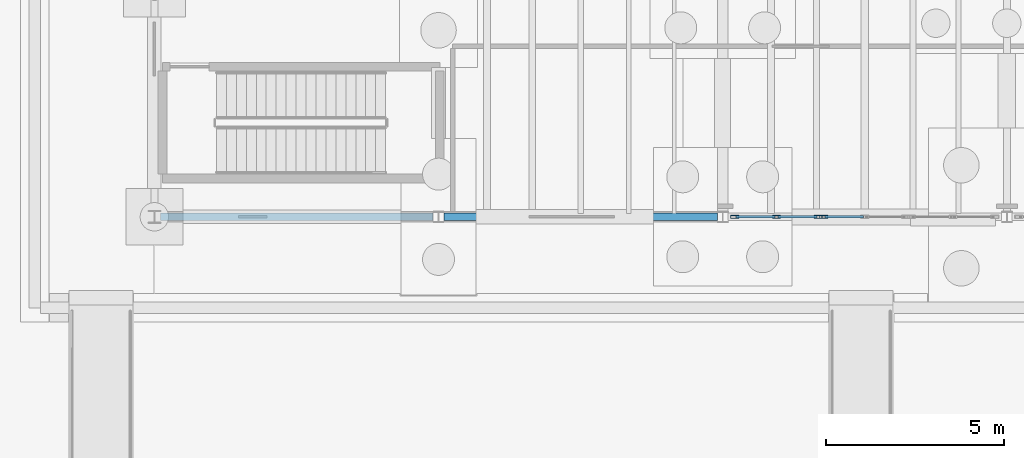
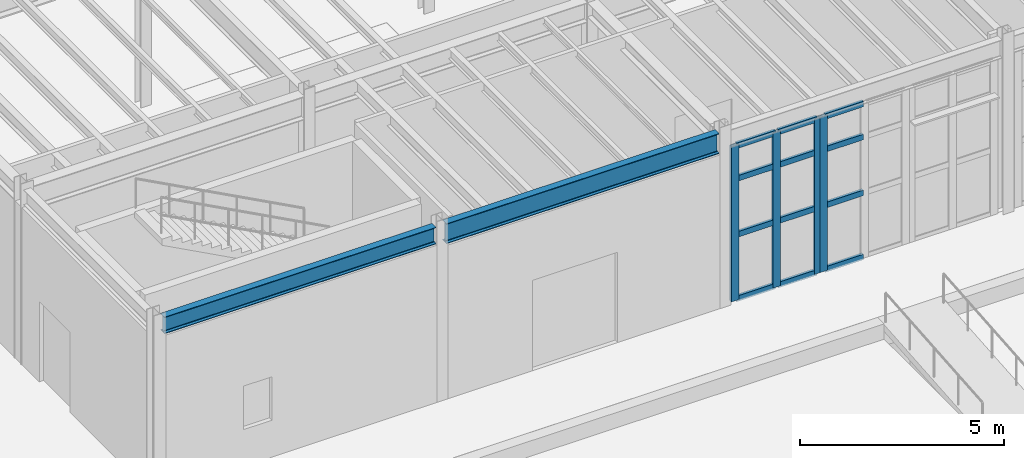
# One storey, part 21 of 86: 16 members, 2 beams, 2 elements without a shape of their own.
"""IFC4 building model written with IfcOpenShell, lengths in metres."""

from ifc_helpers import new_model, si_unit, direction, frame, origin, origin_2d, place, context, subcontext, project, spatial, hollow_rectangle, i_section, extrude, material, material_profile, profile_set, type_object, element, aggregate, save


model = new_model("IFC4")

# Units and contexts
model_context = context("Model", 3, precision=1e-05, world=origin(), true_north=direction((0.0, 1.0)))
body_context = subcontext(model_context, "Body", "Model", "MODEL_VIEW")
ifc_project = project(units=[si_unit("LENGTHUNIT", "METRE"), si_unit("AREAUNIT", "SQUARE_METRE"), si_unit("VOLUMEUNIT", "CUBIC_METRE"), si_unit("PLANEANGLEUNIT", "RADIAN"), si_unit("MASSUNIT", "GRAM", prefix="KILO"), si_unit("THERMODYNAMICTEMPERATUREUNIT", "KELVIN"), si_unit("POWERUNIT", "WATT")], contexts=[model_context])

# Site, building, storey
site_placement = place(None, origin())
site = spatial("IfcSite", under=ifc_project, at=site_placement, CompositionType="ELEMENT")
building_placement = place(site_placement, origin())
building = spatial("IfcBuilding", under=site, at=building_placement, Name="Zhenchuan Central Fire Station", CompositionType="ELEMENT")
storey_placement = place(building_placement, frame((0.0, 0.0, 0.449951171875)))
storey = spatial("IfcBuildingStorey", under=building, at=storey_placement, Name="L01", CompositionType="ELEMENT", Elevation=0.449951171875)

# Beam
ifc_material_1 = material(Name="Steel Q355B", Category="steel")
ifc_material_profile_1 = material_profile(ifc_material_1, i_section(OverallWidth=0.199951171875, OverallDepth=0.60009765625, WebThickness=0.010986328125, FlangeThickness=0.01708984375, FilletRadius=0.02197265625, at=origin_2d()), Name="HN 600x200")
ifc_profile_set_1 = profile_set([ifc_material_profile_1], Name="Steel Q355B")
beam_type_1 = type_object("IfcBeamType", Name="BM-HN600", PredefinedType="BEAM", material=ifc_profile_set_1)
beam_1_placement = place(storey_placement, frame((8.14990234375, 0.0, 4.900146484375), z_axis=(1.0, 0.0, 0.0), x_axis=(0.0, 1.0, 0.0)))
element("IfcBeam", 1, at=beam_1_placement, inside=storey, type_object=beam_type_1, Name="L02 Girder EW 0002", PredefinedType="BEAM", context=body_context, shape_type="SweptSolid", body=[
    extrude(i_section(OverallWidth=0.199951171875, OverallDepth=0.60009765625, WebThickness=0.010986328125, FlangeThickness=0.01708984375, FilletRadius=0.02197265625, at=origin_2d()), origin(), (0.0, 0.0, 1.0), 7.7001953125),
])

# Curtain wall, members
ifc_material_2 = material(Name="Anodised aluminium and low-E glazing", Category="aluminium")
curtain_wall_type_1 = type_object("IfcCurtainWallType", Name="CW-MOD-14", PredefinedType="USERDEFINED", material=ifc_material_2)
curtain_wall_1_placement = place(storey_placement, origin())
curtain_wall_1 = element("IfcCurtainWall", 2, at=curtain_wall_1_placement, inside=storey, type_object=curtain_wall_type_1, Name="L01 Unitised Curtain Wall 016", ObjectType="UNITISED GLAZING", PredefinedType="USERDEFINED")
ifc_material_3 = material(Name="Anodised aluminium EN AW-6063", Category="aluminium")
ifc_material_profile_2 = material_profile(ifc_material_3, hollow_rectangle(XDim=0.080078125, YDim=0.219970703125, WallThickness=0.005615234375, at=origin_2d()), Name="ALU-M 220x80")
ifc_profile_set_2 = profile_set([ifc_material_profile_2], Name="Anodised aluminium EN AW-6063")
member_type_1 = type_object("IfcMemberType", Name="CW-MUL200", PredefinedType="MULLION", material=ifc_profile_set_2)
member_1_placement = place(storey_placement, frame((16.33740234375, 0.0, -0.00390625), z_axis=(0.0, 0.0, 1.0), x_axis=(0.0, 1.0, 0.0)))
member_1 = element("IfcMember", 3, at=member_1_placement, type_object=member_type_1, Name="CW-14 mullion 1", PredefinedType="MULLION", context=body_context, shape_type="SweptSolid", body=[
    extrude(hollow_rectangle(XDim=0.080078125, YDim=0.219970703125, WallThickness=0.005615234375, at=origin_2d()), origin(), (0.0, 0.0, 1.0), 4.64794921875),
])
member_2_placement = place(storey_placement, frame((17.514404296875, 0.0, -0.00390625), z_axis=(0.0, 0.0, 1.0), x_axis=(0.0, 1.0, 0.0)))
member_2 = element("IfcMember", 4, at=member_2_placement, type_object=member_type_1, Name="CW-14 mullion 2", PredefinedType="MULLION", context=body_context, shape_type="SweptSolid", body=[
    extrude(hollow_rectangle(XDim=0.080078125, YDim=0.219970703125, WallThickness=0.005615234375, at=origin_2d()), origin(), (0.0, 0.0, 1.0), 4.64794921875),
])
member_3_placement = place(storey_placement, frame((18.691162109375, 0.0, -0.00390625), z_axis=(0.0, 0.0, 1.0), x_axis=(0.0, 1.0, 0.0)))
member_3 = element("IfcMember", 5, at=member_3_placement, type_object=member_type_1, Name="CW-14 mullion 3", PredefinedType="MULLION", context=body_context, shape_type="SweptSolid", body=[
    extrude(hollow_rectangle(XDim=0.080078125, YDim=0.219970703125, WallThickness=0.005615234375, at=origin_2d()), origin(), (0.0, 0.0, 1.0), 4.64794921875),
])

# Curtain wall, member
curtain_wall_type_2 = type_object("IfcCurtainWallType", Name="CW-MOD-15", PredefinedType="USERDEFINED", material=ifc_material_2)
curtain_wall_2_placement = place(storey_placement, origin())
curtain_wall_2 = element("IfcCurtainWall", 6, at=curtain_wall_2_placement, inside=storey, type_object=curtain_wall_type_2, Name="L01 Unitised Curtain Wall 017", ObjectType="UNITISED GLAZING", PredefinedType="USERDEFINED")
member_4_placement = place(storey_placement, frame((18.84228515625, 0.0, -0.00390625), z_axis=(0.0, 0.0, 1.0), x_axis=(0.0, 1.0, 0.0)))
member_4 = element("IfcMember", 7, at=member_4_placement, type_object=member_type_1, Name="CW-15 mullion 1", PredefinedType="MULLION", context=body_context, shape_type="SweptSolid", body=[
    extrude(hollow_rectangle(XDim=0.080078125, YDim=0.219970703125, WallThickness=0.005615234375, at=origin_2d()), origin(), (0.0, 0.0, 1.0), 4.64794921875),
])

# Member
ifc_material_profile_3 = material_profile(ifc_material_3, hollow_rectangle(XDim=0.080078125, YDim=0.1650390625, WallThickness=0.0048828125, at=origin_2d()), Name="ALU-T 165x80")
ifc_profile_set_3 = profile_set([ifc_material_profile_3], Name="Anodised aluminium EN AW-6063")
member_type_2 = type_object("IfcMemberType", Name="CW-TRN150", PredefinedType="NOTDEFINED", material=ifc_profile_set_3)
member_5_placement = place(storey_placement, frame((16.375, 0.0, 0.033447265625), z_axis=(1.0, 0.0, 0.0), x_axis=(0.0, 1.0, 0.0)))
member_5 = element("IfcMember", 8, at=member_5_placement, type_object=member_type_2, Name="CW-14 transom 1.1", ObjectType="TRANSOM", PredefinedType="USERDEFINED", context=body_context, shape_type="SweptSolid", body=[
    extrude(hollow_rectangle(XDim=0.080078125, YDim=0.1650390625, WallThickness=0.0048828125, at=origin_2d()), origin(), (0.0, 0.0, 1.0), 1.101806640625),
])

member_6_placement = place(storey_placement, frame((16.375, 0.0, 1.950439453125), z_axis=(1.0, 0.0, 0.0), x_axis=(0.0, 1.0, 0.0)))
member_6 = element("IfcMember", 9, at=member_6_placement, type_object=member_type_2, Name="CW-14 transom 1.2", ObjectType="TRANSOM", PredefinedType="USERDEFINED", context=body_context, shape_type="SweptSolid", body=[
    extrude(hollow_rectangle(XDim=0.080078125, YDim=0.1650390625, WallThickness=0.0048828125, at=origin_2d()), origin(), (0.0, 0.0, 1.0), 1.101806640625),
])

member_7_placement = place(storey_placement, frame((16.375, 0.0, 3.622314453125), z_axis=(1.0, 0.0, 0.0), x_axis=(0.0, 1.0, 0.0)))
member_7 = element("IfcMember", 10, at=member_7_placement, type_object=member_type_2, Name="CW-14 transom 1.3", ObjectType="TRANSOM", PredefinedType="USERDEFINED", context=body_context, shape_type="SweptSolid", body=[
    extrude(hollow_rectangle(XDim=0.080078125, YDim=0.1650390625, WallThickness=0.0048828125, at=origin_2d()), origin(), (0.0, 0.0, 1.0), 1.101806640625),
])

member_8_placement = place(storey_placement, frame((16.375, 0.0, 4.6064453125), z_axis=(1.0, 0.0, 0.0), x_axis=(0.0, 1.0, 0.0)))
member_8 = element("IfcMember", 11, at=member_8_placement, type_object=member_type_2, Name="CW-14 transom 1.4", ObjectType="TRANSOM", PredefinedType="USERDEFINED", context=body_context, shape_type="SweptSolid", body=[
    extrude(hollow_rectangle(XDim=0.080078125, YDim=0.1650390625, WallThickness=0.0048828125, at=origin_2d()), origin(), (0.0, 0.0, 1.0), 1.101806640625),
])

member_9_placement = place(storey_placement, frame((17.5517578125, 0.0, 0.033447265625), z_axis=(1.0, 0.0, 0.0), x_axis=(0.0, 1.0, 0.0)))
member_9 = element("IfcMember", 12, at=member_9_placement, type_object=member_type_2, Name="CW-14 transom 2.1", ObjectType="TRANSOM", PredefinedType="USERDEFINED", context=body_context, shape_type="SweptSolid", body=[
    extrude(hollow_rectangle(XDim=0.080078125, YDim=0.1650390625, WallThickness=0.0048828125, at=origin_2d()), origin(), (0.0, 0.0, 1.0), 1.10205078125),
])

member_10_placement = place(storey_placement, frame((17.5517578125, 0.0, 1.950439453125), z_axis=(1.0, 0.0, 0.0), x_axis=(0.0, 1.0, 0.0)))
member_10 = element("IfcMember", 13, at=member_10_placement, type_object=member_type_2, Name="CW-14 transom 2.2", ObjectType="TRANSOM", PredefinedType="USERDEFINED", context=body_context, shape_type="SweptSolid", body=[
    extrude(hollow_rectangle(XDim=0.080078125, YDim=0.1650390625, WallThickness=0.0048828125, at=origin_2d()), origin(), (0.0, 0.0, 1.0), 1.10205078125),
])

member_11_placement = place(storey_placement, frame((17.5517578125, 0.0, 3.622314453125), z_axis=(1.0, 0.0, 0.0), x_axis=(0.0, 1.0, 0.0)))
member_11 = element("IfcMember", 14, at=member_11_placement, type_object=member_type_2, Name="CW-14 transom 2.3", ObjectType="TRANSOM", PredefinedType="USERDEFINED", context=body_context, shape_type="SweptSolid", body=[
    extrude(hollow_rectangle(XDim=0.080078125, YDim=0.1650390625, WallThickness=0.0048828125, at=origin_2d()), origin(), (0.0, 0.0, 1.0), 1.10205078125),
])

member_12_placement = place(storey_placement, frame((17.5517578125, 0.0, 4.6064453125), z_axis=(1.0, 0.0, 0.0), x_axis=(0.0, 1.0, 0.0)))
member_12 = element("IfcMember", 15, at=member_12_placement, type_object=member_type_2, Name="CW-14 transom 2.4", ObjectType="TRANSOM", PredefinedType="USERDEFINED", context=body_context, shape_type="SweptSolid", body=[
    extrude(hollow_rectangle(XDim=0.080078125, YDim=0.1650390625, WallThickness=0.0048828125, at=origin_2d()), origin(), (0.0, 0.0, 1.0), 1.10205078125),
])

aggregate(curtain_wall_1, [member_1, member_2, member_3, member_5, member_6, member_7, member_8, member_9, member_10, member_11, member_12])

member_13_placement = place(storey_placement, frame((18.879638671875, 0.0, 0.033447265625), z_axis=(1.0, 0.0, 0.0), x_axis=(0.0, 1.0, 0.0)))
member_13 = element("IfcMember", 16, at=member_13_placement, type_object=member_type_2, Name="CW-15 transom 1.1", ObjectType="TRANSOM", PredefinedType="USERDEFINED", context=body_context, shape_type="SweptSolid", body=[
    extrude(hollow_rectangle(XDim=0.080078125, YDim=0.1650390625, WallThickness=0.0048828125, at=origin_2d()), origin(), (0.0, 0.0, 1.0), 1.082763671875),
])

member_14_placement = place(storey_placement, frame((18.879638671875, 0.0, 1.950439453125), z_axis=(1.0, 0.0, 0.0), x_axis=(0.0, 1.0, 0.0)))
member_14 = element("IfcMember", 17, at=member_14_placement, type_object=member_type_2, Name="CW-15 transom 1.2", ObjectType="TRANSOM", PredefinedType="USERDEFINED", context=body_context, shape_type="SweptSolid", body=[
    extrude(hollow_rectangle(XDim=0.080078125, YDim=0.1650390625, WallThickness=0.0048828125, at=origin_2d()), origin(), (0.0, 0.0, 1.0), 1.082763671875),
])

member_15_placement = place(storey_placement, frame((18.879638671875, 0.0, 3.622314453125), z_axis=(1.0, 0.0, 0.0), x_axis=(0.0, 1.0, 0.0)))
member_15 = element("IfcMember", 18, at=member_15_placement, type_object=member_type_2, Name="CW-15 transom 1.3", ObjectType="TRANSOM", PredefinedType="USERDEFINED", context=body_context, shape_type="SweptSolid", body=[
    extrude(hollow_rectangle(XDim=0.080078125, YDim=0.1650390625, WallThickness=0.0048828125, at=origin_2d()), origin(), (0.0, 0.0, 1.0), 1.082763671875),
])

member_16_placement = place(storey_placement, frame((18.879638671875, 0.0, 4.6064453125), z_axis=(1.0, 0.0, 0.0), x_axis=(0.0, 1.0, 0.0)))
member_16 = element("IfcMember", 19, at=member_16_placement, type_object=member_type_2, Name="CW-15 transom 1.4", ObjectType="TRANSOM", PredefinedType="USERDEFINED", context=body_context, shape_type="SweptSolid", body=[
    extrude(hollow_rectangle(XDim=0.080078125, YDim=0.1650390625, WallThickness=0.0048828125, at=origin_2d()), origin(), (0.0, 0.0, 1.0), 1.082763671875),
])

aggregate(curtain_wall_2, [member_4, member_13, member_14, member_15, member_16])

# Beam
ifc_material_profile_4 = material_profile(ifc_material_1, i_section(OverallWidth=0.199951171875, OverallDepth=0.5, WebThickness=0.010009765625, FlangeThickness=0.01611328125, FilletRadius=0.02001953125, at=origin_2d()), Name="HN 500x200")
ifc_profile_set_4 = profile_set([ifc_material_profile_4], Name="Steel Q355B")
beam_type_2 = type_object("IfcBeamType", Name="SP-HN500", PredefinedType="SPANDREL", material=ifc_profile_set_4)
beam_2_placement = place(storey_placement, frame((0.175048828125, 0.0, 4.949951171875), z_axis=(1.0, 0.0, 0.0), x_axis=(0.0, 1.0, 0.0)))
element("IfcBeam", 20, at=beam_2_placement, inside=storey, type_object=beam_type_2, Name="L02 Girder EW 0001", PredefinedType="SPANDREL", context=body_context, shape_type="SweptSolid", body=[
    extrude(i_section(OverallWidth=0.199951171875, OverallDepth=0.5, WebThickness=0.010009765625, FlangeThickness=0.01611328125, FilletRadius=0.02001953125, at=origin_2d()), origin(), (0.0, 0.0, 1.0), 7.675048828125),
])

save(model, "model.ifc")
